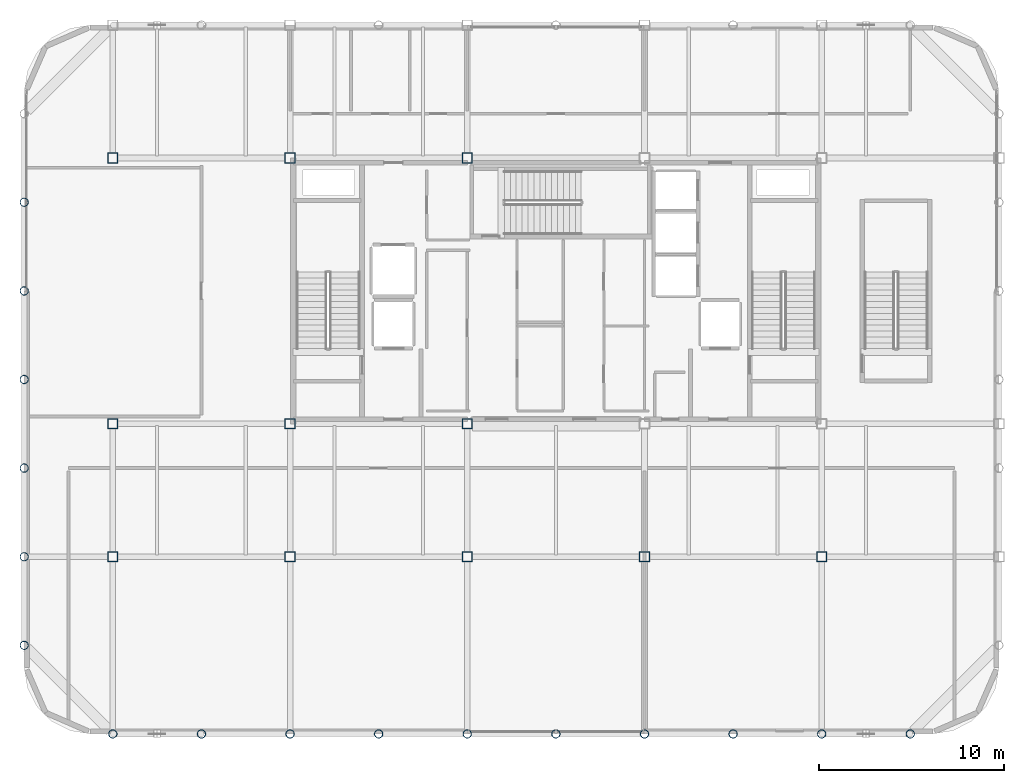
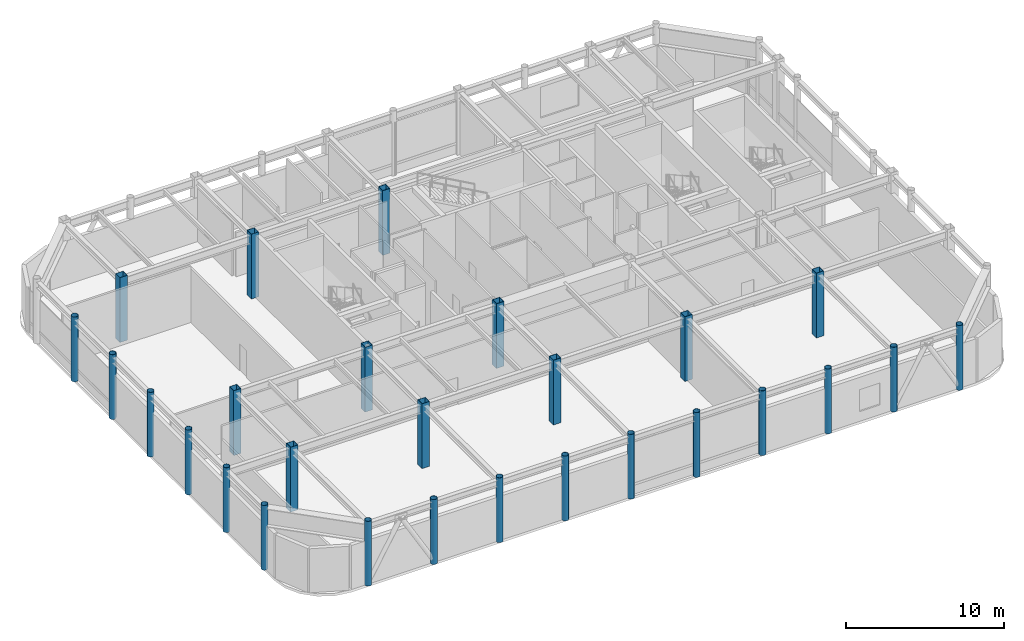
# One storey, part 1 of 21: 27 columns.
"""IFC4 building model written with IfcOpenShell, lengths in metres."""

from ifc_helpers import new_model, si_unit, direction, frame, origin, origin_2d, place, context, subcontext, project, spatial, hollow_rectangle, hollow_circle, extrude, material, material_profile, profile_set, type_object, element, save


model = new_model("IFC4")

# Units and contexts
model_context = context("Model", 3, precision=1e-05, world=origin(), true_north=direction((0.0, 1.0)))
body_context = subcontext(model_context, "Body", "Model", "MODEL_VIEW")
ifc_project = project(units=[si_unit("LENGTHUNIT", "METRE"), si_unit("AREAUNIT", "SQUARE_METRE"), si_unit("VOLUMEUNIT", "CUBIC_METRE"), si_unit("PLANEANGLEUNIT", "RADIAN"), si_unit("MASSUNIT", "GRAM", prefix="KILO")], contexts=[model_context])

# Site, building, storey
site_placement = place(None, origin())
site = spatial("IfcSite", under=ifc_project, at=site_placement, CompositionType="ELEMENT")
building_placement = place(site_placement, origin())
building = spatial("IfcBuilding", under=site, at=building_placement, Name="Kallvorn Hotel Tower", CompositionType="ELEMENT")
storey_placement = place(building_placement, frame((0.0, 0.0, 295.60009765625)))
storey = spatial("IfcBuildingStorey", under=building, at=storey_placement, Name="L73", CompositionType="ELEMENT", Elevation=295.60009765625)

# Columns
ifc_material_1 = material(Name="Structural steel S355J2H", Category="steel")
ifc_material_profile_1 = material_profile(ifc_material_1, hollow_circle(Radius=0.228515625, WallThickness=0.02001953125, at=origin_2d()), Name="CHS 457x20")
ifc_profile_set_1 = profile_set([ifc_material_profile_1], Name="Structural steel S355J2H")
column_type_1 = type_object("IfcColumnType", Name="COL_CHS_457", PredefinedType="COLUMN", material=ifc_profile_set_1)
for number, where, z_axis, x_axis, name in (
    (1, (-28.800048828125, -19.199951171875, 0.0), (0.0, 0.0, 1.0), (1.0, 0.0, 0.0), "L73 Exoskeleton Column EC01"),
    (2, (-28.800048828125, -14.39990234375, 0.0), (0.0, 0.0, 1.0), (1.0, 0.0, 0.0), "L73 Exoskeleton Column EC02"),
    (3, (-28.800048828125, -9.60009765625, 0.0), (0.0, 0.0, 1.0), (1.0, 0.0, 0.0), "L73 Exoskeleton Column EC03"),
    (4, (-28.800048828125, -4.800048828125, 0.0), (0.0, 0.0, 1.0), (1.0, 0.0, 0.0), "L73 Exoskeleton Column EC04"),
    (5, (-28.800048828125, 0.0, 0.0), (0.0, 0.0, 1.0), (1.0, 0.0, 0.0), "L73 Exoskeleton Column EC05"),
    (6, (-28.800048828125, 4.800048828125, 0.0), (0.0, 0.0, 1.0), (1.0, 0.0, 0.0), "L73 Exoskeleton Column EC06"),
    (7, (-24.0, -24.0, 0.0), (0.0, 0.0, 1.0), (1.0, 0.0, 0.0), "L73 Exoskeleton Column EC08"),
    (8, (-19.199951171875, -24.0, 0.0), (0.0, 0.0, 1.0), (1.0, 0.0, 0.0), "L73 Exoskeleton Column EC09"),
    (9, (-14.39990234375, -24.0, 0.0), (0.0, 0.0, 1.0), (1.0, 0.0, 0.0), "L73 Exoskeleton Column EC11"),
    (10, (-9.60009765625, -24.0, 0.0), (0.0, 0.0, 1.0), (1.0, 0.0, 0.0), "L73 Exoskeleton Column EC12"),
    (11, (-4.800048828125, -24.0, 0.0), (0.0, 0.0, 1.0), (1.0, 0.0, 0.0), "L73 Exoskeleton Column EC14"),
    (12, (0.0, -24.0, 0.0), (0.0, 0.0, 1.0), (1.0, 0.0, 0.0), "L73 Exoskeleton Column EC15"),
    (13, (4.800048828125, -24.0, 0.0), (0.0, 0.0, 1.0), (1.0, 0.0, 0.0), "L73 Exoskeleton Column EC17"),
    (14, (9.60009765625, -24.0, 0.0), (0.0, 0.0, 1.0), (1.0, 0.0, 0.0), "L73 Exoskeleton Column EC18"),
    (15, (14.39990234375, -24.0, 0.0), (0.0, 0.0, 1.0), (1.0, 0.0, 0.0), "L73 Exoskeleton Column EC20"),
    (16, (19.199951171875, -24.0, 0.0), (0.0, 0.0, 1.0), (1.0, 0.0, 0.0), "L73 Exoskeleton Column EC21"),
):
    element("IfcColumn", number, at=place(storey_placement, frame(where, z_axis=z_axis, x_axis=x_axis)), inside=storey, type_object=column_type_1, Name=name, PredefinedType="COLUMN", context=body_context, shape_type="SweptSolid", body=[
        extrude(hollow_circle(Radius=0.228515625, WallThickness=0.02001953125, at=origin_2d()), origin(), (0.0, 0.0, 1.0), 5.0),
    ])
ifc_material_2 = material(Name="Structural steel S355J2H", Category="steel")
ifc_material_profile_2 = material_profile(ifc_material_2, hollow_rectangle(XDim=0.550048828125, YDim=0.550048828125, WallThickness=0.02490234375, at=origin_2d()), Name="RHS 550x550x25")
ifc_profile_set_2 = profile_set([ifc_material_profile_2], Name="Structural steel S355J2H")
column_type_2 = type_object("IfcColumnType", Name="COL_RHS_550", PredefinedType="COLUMN", material=ifc_profile_set_2)
for number, where, z_axis, x_axis, name in (
    (17, (-24.0, -14.39990234375, 0.0), (0.0, 0.0, 1.0), (1.0, 0.0, 0.0), "L73 Inner Column IC01"),
    (18, (-24.0, -7.199951171875, 0.0), (0.0, 0.0, 1.0), (1.0, 0.0, 0.0), "L73 Inner Column IC02"),
    (19, (-24.0, 7.199951171875, 0.0), (0.0, 0.0, 1.0), (1.0, 0.0, 0.0), "L73 Inner Column IC03"),
    (20, (-14.39990234375, -14.39990234375, 0.0), (0.0, 0.0, 1.0), (1.0, 0.0, 0.0), "L73 Inner Column IC05"),
    (21, (-14.39990234375, -7.199951171875, 0.0), (0.0, 0.0, 1.0), (1.0, 0.0, 0.0), "L73 Inner Column IC06"),
    (22, (-14.39990234375, 7.199951171875, 0.0), (0.0, 0.0, 1.0), (1.0, 0.0, 0.0), "L73 Inner Column IC07"),
    (23, (-4.800048828125, -14.39990234375, 0.0), (0.0, 0.0, 1.0), (1.0, 0.0, 0.0), "L73 Inner Column IC09"),
    (24, (-4.800048828125, -7.199951171875, 0.0), (0.0, 0.0, 1.0), (1.0, 0.0, 0.0), "L73 Inner Column IC10"),
    (25, (-4.800048828125, 7.199951171875, 0.0), (0.0, 0.0, 1.0), (1.0, 0.0, 0.0), "L73 Inner Column IC11"),
    (26, (4.800048828125, -14.39990234375, 0.0), (0.0, 0.0, 1.0), (1.0, 0.0, 0.0), "L73 Inner Column IC13"),
    (27, (14.39990234375, -14.39990234375, 0.0), (0.0, 0.0, 1.0), (1.0, 0.0, 0.0), "L73 Inner Column IC17"),
):
    element("IfcColumn", number, at=place(storey_placement, frame(where, z_axis=z_axis, x_axis=x_axis)), inside=storey, type_object=column_type_2, Name=name, PredefinedType="COLUMN", context=body_context, shape_type="SweptSolid", body=[
        extrude(hollow_rectangle(XDim=0.550048828125, YDim=0.550048828125, WallThickness=0.02490234375, at=origin_2d()), origin(), (0.0, 0.0, 1.0), 5.0),
    ])

save(model, "model.ifc")
